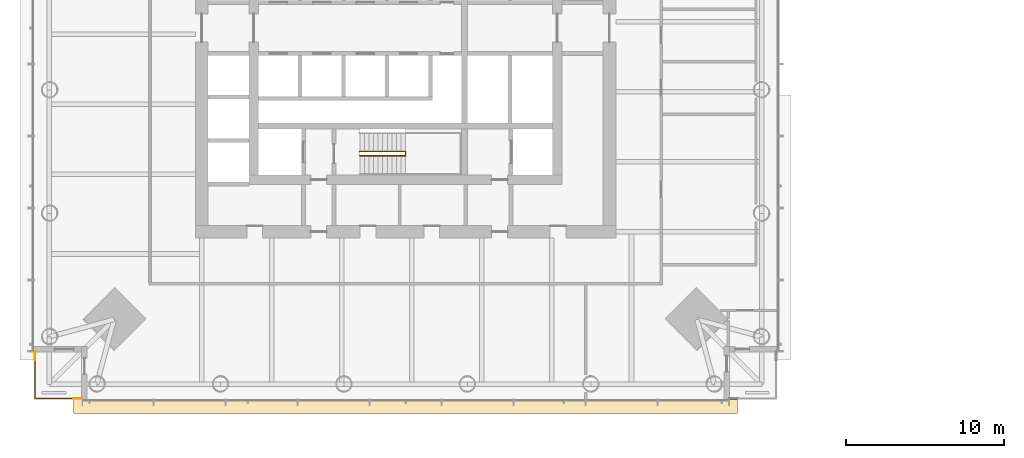
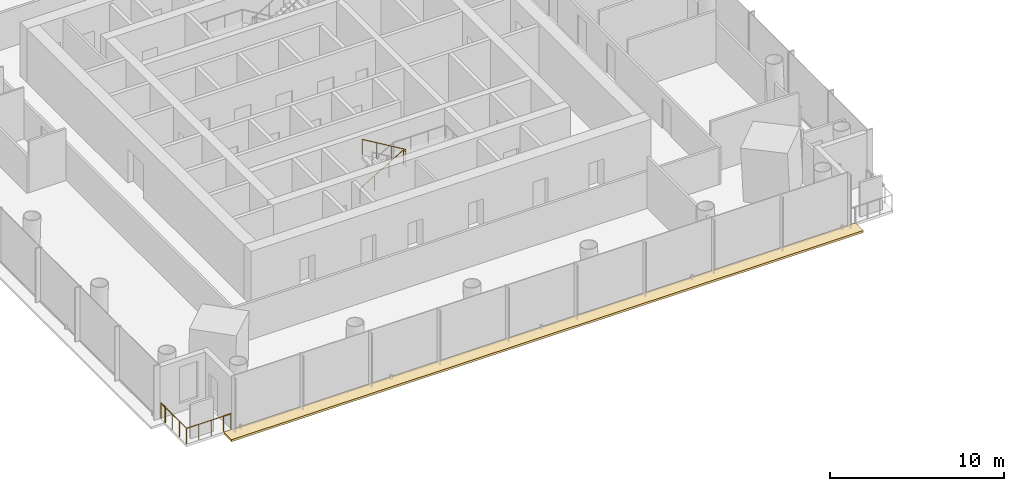
# One storey, part 22 of 26: 4 railings, 1 covering.
"""IFC4 building model written with IfcOpenShell, lengths in metres."""

from ifc_helpers import new_model, si_unit, direction, frame, origin, origin_2d, place, context, subcontext, project, spatial, polyline, circle, outline, extrude, material, layer, layer_set, type_object, element, save


model = new_model("IFC4")

# Units and contexts
model_context = context("Model", 3, precision=1e-05, world=origin(), true_north=direction((0.0, 1.0)))
body_context = subcontext(model_context, "Body", "Model", "MODEL_VIEW")
ifc_project = project(units=[si_unit("LENGTHUNIT", "METRE"), si_unit("AREAUNIT", "SQUARE_METRE"), si_unit("VOLUMEUNIT", "CUBIC_METRE"), si_unit("PLANEANGLEUNIT", "RADIAN"), si_unit("MASSUNIT", "GRAM", prefix="KILO")], contexts=[model_context])

# Site, building, storey
site_placement = place(None, origin())
site = spatial("IfcSite", under=ifc_project, at=site_placement, CompositionType="ELEMENT")
building_placement = place(site_placement, origin())
building = spatial("IfcBuilding", under=site, at=building_placement, Name="Ostroluk Exchange", CompositionType="ELEMENT")
storey_placement = place(building_placement, frame((0.0, 0.0, 66.60009765625)))
storey = spatial("IfcBuildingStorey", under=building, at=storey_placement, Name="L16", CompositionType="ELEMENT", Elevation=66.60009765625)

# Railings
ifc_material_1 = material(Name="Stainless steel", Category="steel")
railing_type_1 = type_object("IfcRailingType", Name="Guard 1100 stainless steel", PredefinedType="GUARDRAIL", material=ifc_material_1)
railing_1_placement = place(storey_placement, frame((24.0, 22.550048828125, 0.0)))
element("IfcRailing", 1, at=railing_1_placement, inside=storey, type_object=railing_type_1, Name="Office tower SW balcony guard L16", PredefinedType="GUARDRAIL", context=body_context, shape_type="SweptSolid", body=[
    extrude(circle(Radius=0.02392578125, at=origin_2d()), frame((0.0, 0.0, 1.076171875), z_axis=(-1.0, 0.0, 0.0), x_axis=(0.0, -1.0, 0.0)), (0.0, 0.0, 1.0), 2.449951171875),
    extrude(circle(Radius=0.02392578125, at=origin_2d()), frame((-2.449951171875, 0.0, 1.076171875), z_axis=(0.0, 1.0, 0.0), x_axis=(-1.0, 0.0, 0.0)), (0.0, 0.0, 1.0), 2.449951171875),
    extrude(circle(Radius=0.02099609375, at=origin_2d()), origin(), (0.0, 0.0, 1.0), 1.052001953125),
    extrude(circle(Radius=0.02099609375, at=origin_2d()), frame((-0.816650390625, 0.0, 0.0)), (0.0, 0.0, 1.0), 1.052001953125),
    extrude(circle(Radius=0.02099609375, at=origin_2d()), frame((-1.63330078125, 0.0, 0.0)), (0.0, 0.0, 1.0), 1.052001953125),
    extrude(circle(Radius=0.02099609375, at=origin_2d()), frame((-2.449951171875, 0.0, 0.0)), (0.0, 0.0, 1.0), 1.052001953125),
    extrude(circle(Radius=0.02099609375, at=origin_2d()), frame((-2.449951171875, 0.816650390625, 0.0)), (0.0, 0.0, 1.0), 1.052001953125),
    extrude(circle(Radius=0.02099609375, at=origin_2d()), frame((-2.449951171875, 1.63330078125, 0.0)), (0.0, 0.0, 1.0), 1.052001953125),
    extrude(circle(Radius=0.02099609375, at=origin_2d()), frame((-2.449951171875, 2.449951171875, 0.0)), (0.0, 0.0, 1.0), 1.052001953125),
])
ifc_material_2 = material(Name="Stainless steel", Category="steel")
railing_type_2 = type_object("IfcRailingType", Name="Lockable maintenance gate 1100", PredefinedType="GUARDRAIL", material=ifc_material_2)
railing_2_placement = place(storey_placement, frame((24.5, 22.550048828125, 0.0)))
element("IfcRailing", 2, at=railing_2_placement, inside=storey, type_object=railing_type_2, Name="Lockable maintenance gate T1 L16 SW", PredefinedType="GUARDRAIL", context=body_context, shape_type="SweptSolid", body=[
    extrude(circle(Radius=0.02392578125, at=origin_2d()), frame((0.0, 0.0, 1.076171875), z_axis=(-1.0, 0.0, 0.0), x_axis=(0.0, -1.0, 0.0)), (0.0, 0.0, 1.0), 0.5),
    extrude(circle(Radius=0.02099609375, at=origin_2d()), origin(), (0.0, 0.0, 1.0), 1.052001953125),
    extrude(circle(Radius=0.02099609375, at=origin_2d()), frame((-0.5, 0.0, 0.0)), (0.0, 0.0, 1.0), 1.052001953125),
])
railing_3_placement = place(storey_placement, frame((21.550048828125, 25.0, 0.0)))
element("IfcRailing", 3, at=railing_3_placement, inside=storey, type_object=railing_type_2, Name="Lockable maintenance gate T1 L16 SW", PredefinedType="GUARDRAIL", context=body_context, shape_type="SweptSolid", body=[
    extrude(circle(Radius=0.02392578125, at=origin_2d()), frame((0.0, 0.0, 1.076171875), z_axis=(0.0, 1.0, 0.0), x_axis=(-1.0, 0.0, 0.0)), (0.0, 0.0, 1.0), 0.5),
    extrude(circle(Radius=0.02099609375, at=origin_2d()), origin(), (0.0, 0.0, 1.0), 1.052001953125),
    extrude(circle(Radius=0.02099609375, at=origin_2d()), frame((0.0, 0.5, 0.0)), (0.0, 0.0, 1.0), 1.052001953125),
])

# Covering
ifc_material_3 = material(Name="Insulated steel roof deck with membrane, laid to falls, aluminium coping", Category="steel")
ifc_layer = layer(ifc_material_3, 0.14990234375)
ifc_layer_set = layer_set([ifc_layer], Name="Setback maintenance roof")
covering_type = type_object("IfcCoveringType", Name="Setback maintenance roof", PredefinedType="ROOFING", material=ifc_layer_set)
covering_placement = place(storey_placement, frame((0.0, 0.0, -0.150146484375)))
element("IfcCovering", 4, at=covering_placement, inside=storey, type_object=covering_type, Name="Maintenance roof, setback L16 south", PredefinedType="ROOFING", context=body_context, shape_type="SweptSolid", body=[
    extrude(outline(polyline([(24.0, 22.5), (66.0, 22.5), (66.0, 21.60009765625), (24.0, 21.60009765625), (24.0, 22.5)])), origin(), (0.0, 0.0, 1.0), 0.150146484375),
])

# Railing
ifc_material_4 = material(Name="Steel S355", Category="steel")
railing_type_3 = type_object("IfcRailingType", Name="Stair guard 1100", PredefinedType="GUARDRAIL", material=ifc_material_4)
railing_4_placement = place(storey_placement, frame((42.10009765625, 38.179931640625, 0.172607421875)))
element("IfcRailing", 5, at=railing_4_placement, inside=storey, type_object=railing_type_3, Name="Stair T1-S1 guard L16", PredefinedType="GUARDRAIL", context=body_context, shape_type="SweptSolid", body=[
    extrude(circle(Radius=0.02392578125, at=origin_2d()), frame((0.0, 0.0, 1.076171875), z_axis=(0.859141464434, 0.0, 0.511738159696), x_axis=(0.0, 1.0, 0.0)), (0.0, 0.0, 1.0), 3.375244140625),
    extrude(circle(Radius=0.02392578125, at=origin_2d()), frame((2.89990234375, 0.0, 2.80322265625), z_axis=(0.0, -1.0, 0.0), x_axis=(1.0, 0.0, 0.0)), (0.0, 0.0, 1.0), 0.260009765625),
    extrude(circle(Radius=0.02392578125, at=origin_2d()), frame((2.89990234375, -0.260009765625, 2.80322265625), z_axis=(0.0, 0.0, 1.0), x_axis=(1.0, 0.0, 0.0)), (0.0, 0.0, 1.0), 0.172607421875),
    extrude(circle(Radius=0.02392578125, at=origin_2d()), frame((2.89990234375, -0.260009765625, 2.97607421875), z_axis=(-0.859141464434, 0.0, 0.511738159696), x_axis=(0.0, -1.0, 0.0)), (0.0, 0.0, 1.0), 3.375244140625),
    extrude(circle(Radius=0.02099609375, at=origin_2d()), origin(), (0.0, 0.0, 1.0), 1.052001953125),
    extrude(circle(Radius=0.02099609375, at=origin_2d()), frame((0.966552734375, 0.0, 0.57568359375)), (0.0, 0.0, 1.0), 1.052001953125),
    extrude(circle(Radius=0.02099609375, at=origin_2d()), frame((1.933349609375, 0.0, 1.151611328125)), (0.0, 0.0, 1.0), 1.052001953125),
    extrude(circle(Radius=0.02099609375, at=origin_2d()), frame((2.89990234375, 0.0, 1.727294921875)), (0.0, 0.0, 1.0), 1.052001953125),
    extrude(circle(Radius=0.02099609375, at=origin_2d()), frame((2.89990234375, -0.260009765625, 1.727294921875)), (0.0, 0.0, 1.0), 1.052001953125),
    extrude(circle(Radius=0.02099609375, at=origin_2d()), frame((2.89990234375, -0.260009765625, 1.89990234375)), (0.0, 0.0, 1.0), 1.052001953125),
    extrude(circle(Radius=0.02099609375, at=origin_2d()), frame((1.933349609375, -0.260009765625, 2.4755859375)), (0.0, 0.0, 1.0), 1.052001953125),
    extrude(circle(Radius=0.02099609375, at=origin_2d()), frame((0.966552734375, -0.260009765625, 3.051513671875)), (0.0, 0.0, 1.0), 1.052001953125),
    extrude(circle(Radius=0.02099609375, at=origin_2d()), frame((0.0, -0.260009765625, 3.627197265625)), (0.0, 0.0, 1.0), 1.052001953125),
])

save(model, "model.ifc")
